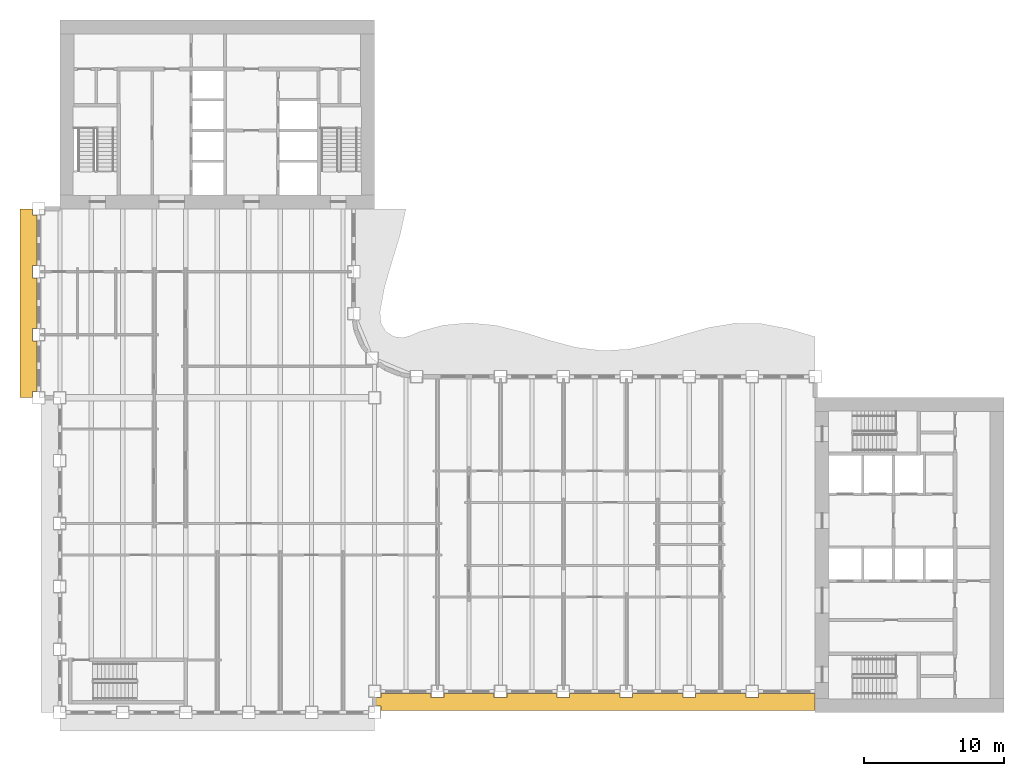
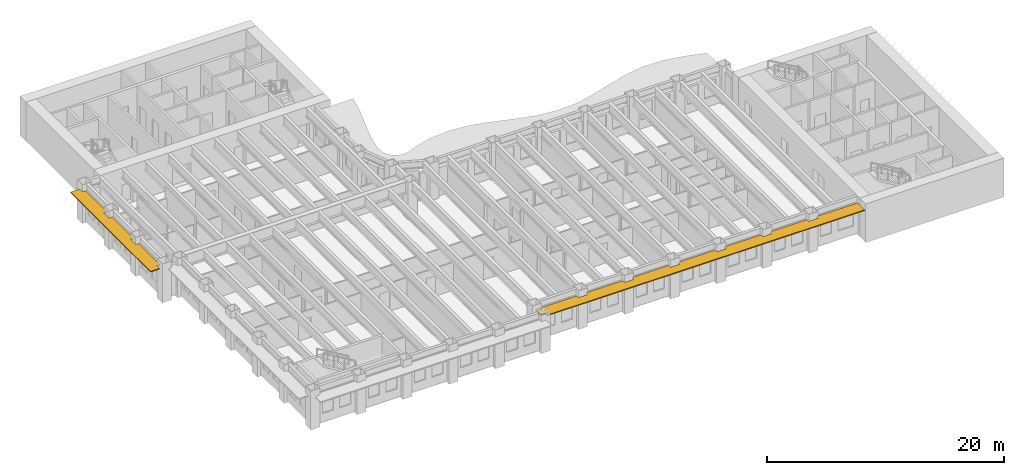
# One storey, part 12 of 16: 2 shading devices.
"""IFC4 building model written with IfcOpenShell, lengths in metres."""

from ifc_helpers import new_model, si_unit, direction, frame, origin, place, context, subcontext, project, spatial, polyline, outline, extrude, material, layer, layer_set, type_object, element, save


model = new_model("IFC4")

# Units and contexts
model_context = context("Model", 3, precision=1e-05, world=origin(), true_north=direction((0.0, 1.0)))
body_context = subcontext(model_context, "Body", "Model", "MODEL_VIEW")
ifc_project = project(units=[si_unit("LENGTHUNIT", "METRE"), si_unit("AREAUNIT", "SQUARE_METRE"), si_unit("VOLUMEUNIT", "CUBIC_METRE"), si_unit("PLANEANGLEUNIT", "RADIAN"), si_unit("MASSUNIT", "GRAM", prefix="KILO")], contexts=[model_context])

# Site, building, storey
site_placement = place(None, origin())
site = spatial("IfcSite", under=ifc_project, at=site_placement, CompositionType="ELEMENT")
building_placement = place(site_placement, origin())
building = spatial("IfcBuilding", under=site, at=building_placement, Name="Sennacour Bend Tower", CompositionType="ELEMENT")
storey_placement = place(building_placement, frame((0.0, 0.0, 175.0)))
storey = spatial("IfcBuildingStorey", under=building, at=storey_placement, Name="L40", CompositionType="ELEMENT", Elevation=175.0)

# Shading devices
ifc_material = material(Name="Bronze anodised aluminium", Category="aluminium")
ifc_layer = layer(ifc_material, 0.10009765625, Name="Bronze anodised aluminium", Category="aluminium")
ifc_layer_set = layer_set([ifc_layer], Name="Bronze anodised aluminium")
shading_device_type = type_object("IfcShadingDeviceType", Name="SUNSHADE BAND STRAIGHT", PredefinedType="USERDEFINED", material=ifc_layer_set)
shading_device_1_placement = place(storey_placement, frame((0.0, 0.0, 3.049072265625)))
element("IfcShadingDevice", 1, at=shading_device_1_placement, inside=storey, type_object=shading_device_type, Name="Sunshade band L40 A outer face", ObjectType="SUNSHADE", PredefinedType="USERDEFINED", context=body_context, shape_type="SweptSolid", body=[
    extrude(outline(polyline([(26.550048828125, 1.35009765625), (26.550048828125, 1.050048828125), (27.449951171875, 1.050048828125), (27.449951171875, 1.35009765625), (31.050048828125, 1.35009765625), (31.050048828125, 1.050048828125), (31.949951171875, 1.050048828125), (31.949951171875, 1.35009765625), (35.550048828125, 1.35009765625), (35.550048828125, 1.050048828125), (36.449951171875, 1.050048828125), (36.449951171875, 1.35009765625), (40.050048828125, 1.35009765625), (40.050048828125, 1.050048828125), (40.949951171875, 1.050048828125), (40.949951171875, 1.35009765625), (44.550048828125, 1.35009765625), (44.550048828125, 1.050048828125), (45.449951171875, 1.050048828125), (45.449951171875, 1.35009765625), (49.050048828125, 1.35009765625), (49.050048828125, 1.050048828125), (49.949951171875, 1.050048828125), (49.949951171875, 1.35009765625), (54.0, 1.35009765625), (54.0, 0.14990234375), (22.949951171875, 0.14990234375), (22.949951171875, 0.449951171875), (22.5, 0.449951171875), (22.5, 1.050048828125), (22.949951171875, 1.050048828125), (22.949951171875, 1.35009765625), (26.550048828125, 1.35009765625)])), origin(), (0.0, 0.0, 1.0), 0.099853515625),
])
shading_device_2_placement = place(storey_placement, frame((0.0, 0.0, 3.049072265625)))
element("IfcShadingDevice", 2, at=shading_device_2_placement, inside=storey, type_object=shading_device_type, Name="Sunshade band L40 B outer face", ObjectType="SUNSHADE", PredefinedType="USERDEFINED", context=body_context, shape_type="SweptSolid", body=[
    extrude(outline(polyline([(-1.64990234375, 31.949951171875), (-1.949951171875, 31.949951171875), (-1.949951171875, 31.050048828125), (-1.64990234375, 31.050048828125), (-1.64990234375, 27.449951171875), (-1.949951171875, 27.449951171875), (-1.949951171875, 26.550048828125), (-1.64990234375, 26.550048828125), (-1.64990234375, 22.949951171875), (-1.949951171875, 22.949951171875), (-1.949951171875, 22.5), (-2.85009765625, 22.5), (-2.85009765625, 36.0), (-1.949951171875, 36.0), (-1.949951171875, 35.550048828125), (-1.64990234375, 35.550048828125), (-1.64990234375, 31.949951171875)])), origin(), (0.0, 0.0, 1.0), 0.099853515625),
])

save(model, "model.ifc")
